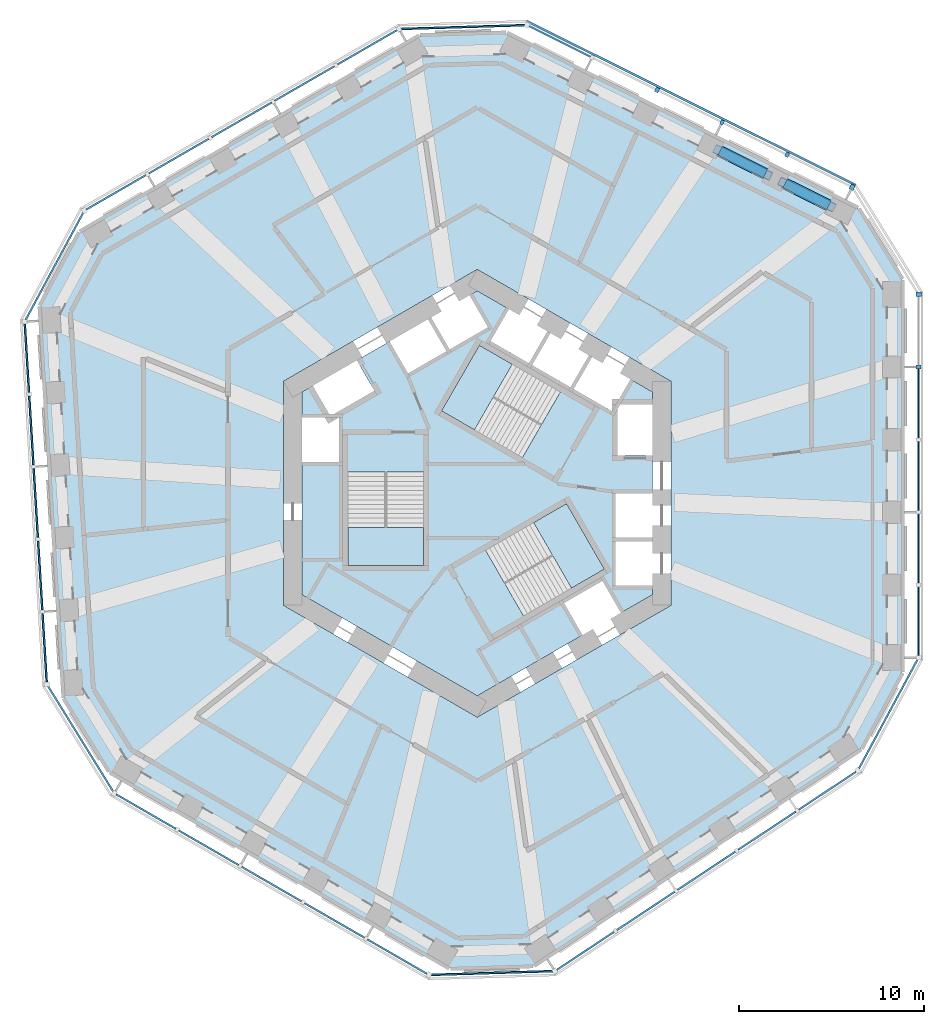
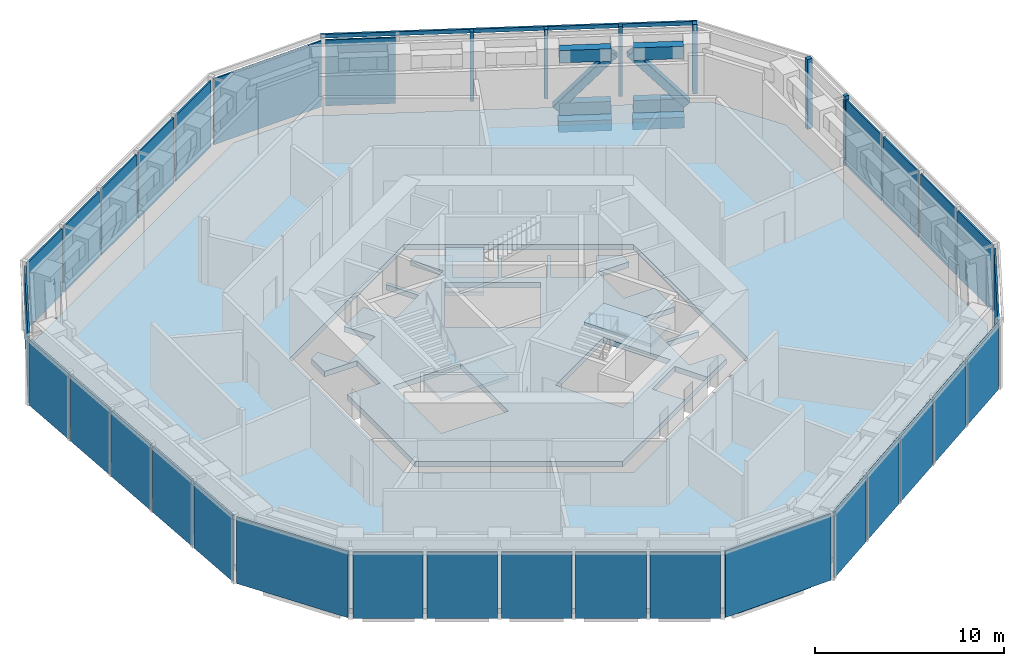
# One storey, part 4 of 15: 30 plates, 13 members, 5 slabs, 2 beams, 14 elements without a shape of their own.
"""IFC4 building model written with IfcOpenShell, lengths in metres."""

from ifc_helpers import new_model, si_unit, direction, frame, origin, origin_2d, place, context, subcontext, project, spatial, polyline, rectangle, hollow_rectangle, outline, extrude, material, layer, layer_set, material_profile, profile_set, type_object, element, aggregate, save


model = new_model("IFC4")

# Units and contexts
model_context = context("Model", 3, precision=1e-05, world=origin(), true_north=direction((0.0, 1.0)))
body_context = subcontext(model_context, "Body", "Model", "MODEL_VIEW")
ifc_project = project(units=[si_unit("LENGTHUNIT", "METRE"), si_unit("AREAUNIT", "SQUARE_METRE"), si_unit("VOLUMEUNIT", "CUBIC_METRE"), si_unit("PLANEANGLEUNIT", "RADIAN"), si_unit("MASSUNIT", "GRAM", prefix="KILO")], contexts=[model_context])

# Site, building, storey
site_placement = place(None, origin())
site = spatial("IfcSite", under=ifc_project, at=site_placement, CompositionType="ELEMENT")
building_placement = place(site_placement, origin())
building = spatial("IfcBuilding", under=site, at=building_placement, Name="Vanh Sen Convention Tower", CompositionType="ELEMENT")
storey_placement = place(building_placement, frame((0.0, 0.0, 119.89990234375)))
storey = spatial("IfcBuildingStorey", under=building, at=storey_placement, Name="L29", CompositionType="ELEMENT", Elevation=119.89990234375)

# Members
ifc_material_1 = material(Name="Steel S460", Category="steel")
ifc_material_profile_1 = material_profile(ifc_material_1, hollow_rectangle(XDim=0.5, YDim=0.800048828125, WallThickness=0.0400390625, at=origin_2d()), Name="BOX 800X500X40")
ifc_profile_set_1 = profile_set([ifc_material_profile_1], Name="Steel S460")
member_type_1 = type_object("IfcMemberType", Name="Belt truss chord BOX 800X500X40", PredefinedType="CHORD", material=ifc_profile_set_1)
for number, where, z_axis, x_axis, name in (
    (1, (19.036865234375, 15.59423828125, 0.400146484375), (-0.894943581597, 0.446179320183, 0.0), (-0.446179320183, -0.894943581597, 0.0), "BELT TRUSS chord bottom 07 L29"),
    (2, (19.036865234375, 15.59423828125, 3.800048828125), (-0.894943581597, 0.446179320183, 0.0), (-0.446179320183, -0.894943581597, 0.0), "BELT TRUSS chord top 07 L29"),
):
    element("IfcMember", number, at=place(storey_placement, frame(where, z_axis=z_axis, x_axis=x_axis)), inside=storey, type_object=member_type_1, Name=name, PredefinedType="CHORD", context=body_context, shape_type="SweptSolid", body=[
        extrude(hollow_rectangle(XDim=0.5, YDim=0.800048828125, WallThickness=0.0400390625, at=origin_2d()), origin(), (0.0, 0.0, 1.0), 2.64453125),
    ])
for number, where, z_axis, x_axis, name in (
    (3, (15.605224609375, 17.30517578125, 0.400146484375), (-0.894942515368, 0.44618145881, 0.0), (-0.44618145881, -0.894942515368, 0.0), "BELT TRUSS chord bottom 08 L29"),
    (4, (15.605224609375, 17.30517578125, 3.800048828125), (-0.894942515368, 0.44618145881, 0.0), (-0.44618145881, -0.894942515368, 0.0), "BELT TRUSS chord top 08 L29"),
):
    element("IfcMember", number, at=place(storey_placement, frame(where, z_axis=z_axis, x_axis=x_axis)), inside=storey, type_object=member_type_1, Name=name, PredefinedType="CHORD", context=body_context, shape_type="SweptSolid", body=[
        extrude(hollow_rectangle(XDim=0.5, YDim=0.800048828125, WallThickness=0.0400390625, at=origin_2d()), origin(), (0.0, 0.0, 1.0), 2.74462890625),
    ])
ifc_material_2 = material(Name="Steel S355", Category="steel")
ifc_material_profile_2 = material_profile(ifc_material_2, hollow_rectangle(XDim=0.5, YDim=0.5, WallThickness=0.02490234375, InnerFilletRadius=0.02490234375, OuterFilletRadius=0.050048828125, at=origin_2d()), Name="SHS 500X500X25")
ifc_profile_set_2 = profile_set([ifc_material_profile_2], Name="Steel S355")
member_type_2 = type_object("IfcMemberType", Name="Belt truss diagonal SHS 500X500X25", PredefinedType="BRACE", material=ifc_profile_set_2)
member_1_placement = place(storey_placement, frame((19.18310546875, 15.521240234375, 0.400146484375), z_axis=(-0.588916029965, 0.293646984827, 0.752960396005), x_axis=(-0.446227367534, -0.8949196257, 0.0)))
element("IfcMember", 5, at=member_1_placement, inside=storey, type_object=member_type_2, Name="BELT TRUSS diagonal 07 L29", PredefinedType="BRACE", context=body_context, shape_type="SweptSolid", body=[
    extrude(hollow_rectangle(XDim=0.5, YDim=0.5, WallThickness=0.02490234375, InnerFilletRadius=0.02490234375, OuterFilletRadius=0.050048828125, at=origin_2d()), origin(), (0.0, 0.0, 1.0), 4.515380859375),
])
member_2_placement = place(storey_placement, frame((15.75146484375, 17.232421875, 3.800048828125), z_axis=(-0.599932619702, 0.299087112034, -0.742042957809), x_axis=(-0.446164051111, -0.894951193918, 0.0)))
element("IfcMember", 6, at=member_2_placement, inside=storey, type_object=member_type_2, Name="BELT TRUSS diagonal 08 L29", PredefinedType="BRACE", context=body_context, shape_type="SweptSolid", body=[
    extrude(hollow_rectangle(XDim=0.5, YDim=0.5, WallThickness=0.02490234375, InnerFilletRadius=0.02490234375, OuterFilletRadius=0.050048828125, at=origin_2d()), origin(), (0.0, 0.0, 1.0), 4.581787109375),
])

# Curtain wall, member
ifc_material_3 = material(Name="Concrete C50/60", Category="concrete")
curtain_wall_type = type_object("IfcCurtainWallType", Name="Outer skin hotel zone", PredefinedType="NOTDEFINED", material=ifc_material_3)
curtain_wall_1_placement = place(storey_placement, origin())
curtain_wall_1 = element("IfcCurtainWall", 7, at=curtain_wall_1_placement, inside=storey, type_object=curtain_wall_type, Name="OUTER SKIN E L29", PredefinedType="NOTDEFINED")
ifc_material_profile_3 = material_profile(ifc_material_3, rectangle(XDim=0.25, YDim=0.300048828125, at=origin_2d()), Name="Outer skin precast corner fin 250 x 300")
ifc_profile_set_3 = profile_set([ifc_material_profile_3], Name="Concrete C50/60")
member_type_3 = type_object("IfcMemberType", Name="Outer skin precast corner fin 250 x 300", PredefinedType="MULLION", material=ifc_profile_set_3)
member_3_placement = place(storey_placement, frame((23.89990234375, 10.773681640625, 0.0), z_axis=(0.0, 0.0, 1.0), x_axis=(0.0, 1.0, 0.0)))
member_3 = element("IfcMember", 8, at=member_3_placement, type_object=member_type_3, Name="OUTER SKIN CORNER FIN 6 E L29", PredefinedType="MULLION", context=body_context, shape_type="SweptSolid", body=[
    extrude(rectangle(XDim=0.25, YDim=0.300048828125, at=origin_2d()), origin(), (0.0, 0.0, 1.0), 4.5),
])

curtain_wall_2_placement = place(storey_placement, origin())
curtain_wall_2 = element("IfcCurtainWall", 9, at=curtain_wall_2_placement, inside=storey, type_object=curtain_wall_type, Name="OUTER SKIN NE L29", PredefinedType="NOTDEFINED")
member_4_placement = place(storey_placement, frame((20.305908203125, 16.581787109375, 0.0), z_axis=(0.0, 0.0, 1.0), x_axis=(-0.894934361602, 0.44619781311, 0.0)))
member_4 = element("IfcMember", 10, at=member_4_placement, type_object=member_type_3, Name="OUTER SKIN CORNER FIN 1 NE L29", PredefinedType="MULLION", context=body_context, shape_type="SweptSolid", body=[
    extrude(rectangle(XDim=0.25, YDim=0.300048828125, at=origin_2d()), origin(), (0.0, 0.0, 1.0), 4.5),
])

# Member
ifc_material_profile_4 = material_profile(ifc_material_3, rectangle(XDim=0.199951171875, YDim=0.25, at=origin_2d()), Name="Outer skin precast fin 200 x 250")
ifc_profile_set_4 = profile_set([ifc_material_profile_4], Name="Concrete C50/60")
member_type_4 = type_object("IfcMemberType", Name="Outer skin precast fin 200 x 250", PredefinedType="MULLION", material=ifc_profile_set_4)
member_5_placement = place(storey_placement, frame((23.89990234375, 6.839111328125, 0.0), z_axis=(0.0, 0.0, 1.0), x_axis=(0.0, 1.0, 0.0)))
member_5 = element("IfcMember", 11, at=member_5_placement, type_object=member_type_4, Name="OUTER SKIN fin 5 E L29", PredefinedType="MULLION", context=body_context, shape_type="SweptSolid", body=[
    extrude(rectangle(XDim=0.199951171875, YDim=0.25, at=origin_2d()), origin(), (0.0, 0.0, 1.0), 4.5),
])

member_6_placement = place(storey_placement, frame((16.78466796875, 18.33740234375, 0.0), z_axis=(0.0, 0.0, 1.0), x_axis=(-0.894934361602, 0.44619781311, 0.0)))
member_6 = element("IfcMember", 12, at=member_6_placement, type_object=member_type_4, Name="OUTER SKIN fin 2 NE L29", PredefinedType="MULLION", context=body_context, shape_type="SweptSolid", body=[
    extrude(rectangle(XDim=0.199951171875, YDim=0.25, at=origin_2d()), origin(), (0.0, 0.0, 1.0), 4.5),
])

member_7_placement = place(storey_placement, frame((13.263427734375, 20.093017578125, 0.0), z_axis=(0.0, 0.0, 1.0), x_axis=(-0.894934361602, 0.44619781311, 0.0)))
member_7 = element("IfcMember", 13, at=member_7_placement, type_object=member_type_4, Name="OUTER SKIN fin 3 NE L29", PredefinedType="MULLION", context=body_context, shape_type="SweptSolid", body=[
    extrude(rectangle(XDim=0.199951171875, YDim=0.25, at=origin_2d()), origin(), (0.0, 0.0, 1.0), 4.5),
])

member_8_placement = place(storey_placement, frame((9.7421875, 21.8486328125, 0.0), z_axis=(0.0, 0.0, 1.0), x_axis=(-0.894934361602, 0.44619781311, 0.0)))
member_8 = element("IfcMember", 14, at=member_8_placement, type_object=member_type_4, Name="OUTER SKIN fin 4 NE L29", PredefinedType="MULLION", context=body_context, shape_type="SweptSolid", body=[
    extrude(rectangle(XDim=0.199951171875, YDim=0.25, at=origin_2d()), origin(), (0.0, 0.0, 1.0), 4.5),
])

ifc_material_profile_5 = material_profile(ifc_material_3, rectangle(XDim=0.1201171875, YDim=0.25, at=origin_2d()), Name="Outer skin precast spandrel band 250 x 120")
ifc_profile_set_5 = profile_set([ifc_material_profile_5], Name="Concrete C50/60")
member_type_5 = type_object("IfcMemberType", Name="Outer skin precast spandrel band 250 x 120", PredefinedType="USERDEFINED", material=ifc_profile_set_5)
member_9_placement = place(storey_placement, frame((20.500244140625, 16.69140625, 4.375), z_axis=(-0.894931498167, 0.446203556227, 0.0), x_axis=(-0.446203556227, -0.894931498167, 0.0)))
member_9 = element("IfcMember", 15, at=member_9_placement, type_object=member_type_5, Name="OUTER SKIN spandrel band NE L29", ObjectType="TRANSOM", PredefinedType="USERDEFINED", context=body_context, shape_type="SweptSolid", body=[
    extrude(rectangle(XDim=0.1201171875, YDim=0.25, at=origin_2d()), origin(), (0.0, 0.0, 1.0), 19.9228515625),
])

# Beams
ifc_material_4 = material(Name="Concrete C50/60", Category="concrete")
ifc_material_profile_6 = material_profile(ifc_material_4, rectangle(XDim=0.60009765625, YDim=0.699951171875, at=origin_2d()), Name="RC 600X700")
ifc_profile_set_6 = profile_set([ifc_material_profile_6], Name="Concrete C50/60")
beam_type = type_object("IfcBeamType", Name="Spandrel beam 600 x 700", PredefinedType="SPANDREL", material=ifc_profile_set_6)
beam_1_placement = place(storey_placement, frame((19.081787109375, 15.572021484375, -0.699951171875), z_axis=(-0.894978032936, 0.446110211229, 0.0), x_axis=(-0.446110211229, -0.894978032936, 0.0)))
element("IfcBeam", 16, at=beam_1_placement, inside=storey, type_object=beam_type, Name="Spandrel beam 07 L29", PredefinedType="SPANDREL", context=body_context, shape_type="SweptSolid", body=[
    extrude(rectangle(XDim=0.60009765625, YDim=0.699951171875, at=origin_2d()), origin(), (0.0, 0.0, 1.0), 2.74462890625),
])
beam_2_placement = place(storey_placement, frame((15.64990234375, 17.282958984375, -0.699951171875), z_axis=(-0.894958709308, 0.44614897583, 0.0), x_axis=(-0.44614897583, -0.894958709308, 0.0)))
element("IfcBeam", 17, at=beam_2_placement, inside=storey, type_object=beam_type, Name="Spandrel beam 08 L29", PredefinedType="SPANDREL", context=body_context, shape_type="SweptSolid", body=[
    extrude(rectangle(XDim=0.60009765625, YDim=0.699951171875, at=origin_2d()), origin(), (0.0, 0.0, 1.0), 2.844482421875),
])

# Slabs
ifc_material_5 = material(Name="Concrete C40/50", Category="concrete")
ifc_layer_1 = layer(ifc_material_5, 0.35009765625)
ifc_layer_set_1 = layer_set([ifc_layer_1], Name="Concrete C40/50")
slab_type_1 = type_object("IfcSlabType", Name="Core slab 350", PredefinedType="FLOOR", material=ifc_layer_set_1)
slab_1_placement = place(storey_placement, frame((0.0, 0.0, -0.349853515625)))
element("IfcSlab", 18, at=slab_1_placement, inside=storey, type_object=slab_type_1, Name="Core slab L29", PredefinedType="FLOOR", context=body_context, shape_type="SweptSolid", body=[
    extrude(outline(polyline([(9.5, 5.48486328125), (9.5, 4.800048828125), (7.60009765625, 4.800048828125), (7.60009765625, 2.050048828125), (9.5, 2.050048828125), (9.5, 0.0), (7.5, 0.0), (7.5, -2.39990234375), (9.5, -2.39990234375), (9.5, -2.60009765625), (7.5, -2.60009765625), (7.5, -5.0), (9.5, -5.0), (9.5, -5.48486328125), (0.0, -10.9697265625), (-9.5, -5.48486328125), (-9.5, 1.699951171875), (-7.5, 1.699951171875), (-7.5, 4.10009765625), (-9.5, 4.10009765625), (-9.5, 5.48486328125), (-8.906982421875, 5.8271484375), (-7.956787109375, 4.181884765625), (-5.575439453125, 5.556884765625), (-6.525390625, 7.2021484375), (-4.75, 8.227294921875), (-3.75, 6.4951171875), (-1.67138671875, 7.6953125), (-2.67138671875, 9.42724609375), (-2.498291015625, 9.527099609375), (-1.498291015625, 7.795166015625), (0.580078125, 8.9951171875), (-0.419921875, 10.727294921875), (0.0, 10.9697265625), (1.718994140625, 9.977294921875), (0.718994140625, 8.2451171875), (2.79736328125, 7.045166015625), (3.79736328125, 8.777099609375), (3.970703125, 8.67724609375), (2.970703125, 6.9453125), (5.049072265625, 5.7451171875), (6.049072265625, 7.477294921875), (6.22216796875, 7.377197265625), (5.22216796875, 5.645263671875), (7.30078125, 4.4453125), (8.30078125, 6.17724609375), (9.5, 5.48486328125)]), holes=[polyline([(-7.0, 3.14990234375), (-7.0, -3.909912109375), (-2.89990234375, -3.909912109375), (-2.89990234375, 3.14990234375), (-2.89990234375, 1.1494140625), (-7.0, 1.1494140625), (-7.0, 3.14990234375)]), polyline([(4.495361328125, 5.487548828125), (6.22802734375, 4.4873046875), (0.11376953125, 8.01708984375), (-1.936279296875, 4.466552734375), (2.4453125, 1.936767578125), (4.495361328125, 5.487548828125)]), polyline([(7.781005859375, -6.477294921875), (6.781005859375, -4.7451171875), (4.70263671875, -5.9453125), (5.70263671875, -7.67724609375), (7.781005859375, -6.477294921875)]), polyline([(0.45458984375, -3.086181640625), (2.504638671875, -6.63671875), (6.88623046875, -4.107177734375), (4.836181640625, -0.556396484375), (-1.278076171875, -4.08642578125), (0.45458984375, -3.086181640625)])]), origin(), (0.0, 0.0, 1.0), 0.349853515625),
])
ifc_layer_2 = layer(ifc_material_5, 0.35009765625)
ifc_layer_set_2 = layer_set([ifc_layer_2], Name="Concrete C40/50")
slab_type_2 = type_object("IfcSlabType", Name="Floor slab 350, compartment floor REI 180", PredefinedType="FLOOR", material=ifc_layer_set_2)
slab_2_placement = place(storey_placement, frame((0.0, 0.0, -0.349853515625)))
element("IfcSlab", 19, at=slab_2_placement, inside=storey, type_object=slab_type_2, Name="Floor slab L29 tower", PredefinedType="FLOOR", context=body_context, shape_type="SweptSolid", body=[
    extrude(outline(polyline([(23.0, -9.69921875), (23.0, 11.57373046875), (20.620361328125, 15.419189453125), (1.58251953125, 24.911376953125), (-3.10009765625, 24.768310546875), (-21.523193359375, 14.131591796875), (-23.663818359375, 10.14794921875), (-22.364990234375, -11.085205078125), (-19.89990234375, -15.069091796875), (-1.476806640625, -25.705322265625), (3.04345703125, -25.5673828125), (20.78271484375, -13.825927734375), (23.0, -9.69921875)]), holes=[polyline([(0.0, 12.12451171875), (-10.5, 6.062255859375), (-10.5, -6.062255859375), (0.0, -12.12451171875), (10.5, -6.062255859375), (10.5, 6.062255859375), (0.0, 12.12451171875)])]), origin(), (0.0, 0.0, 1.0), 0.349853515625),
])

# Plate
ifc_layer_3 = layer(ifc_material_3, 0.10009765625)
ifc_layer_set_3 = layer_set([ifc_layer_3], Name="Concrete C50/60")
plate_type = type_object("IfcPlateType", Name="Outer skin precast screen panel 100", PredefinedType="CURTAIN_PANEL", material=ifc_layer_set_3)
plate_1_placement = place(storey_placement, frame((23.89990234375, -6.91943359375, 0.0), z_axis=(0.0, 0.0, 1.0), x_axis=(0.0, 1.0, 0.0)))
plate_1 = element("IfcPlate", 20, at=plate_1_placement, type_object=plate_type, Name="OUTER SKIN screen panel E-1", PredefinedType="CURTAIN_PANEL", context=body_context, shape_type="SweptSolid", body=[
    extrude(rectangle(XDim=3.709716796875, YDim=0.10009765625, at=origin_2d()), origin(), (0.0, 0.0, 1.0), 4.25),
])

plate_2_placement = place(storey_placement, frame((23.89990234375, -2.997314453125, 0.0), z_axis=(0.0, 0.0, 1.0), x_axis=(0.0, 1.0, 0.0)))
plate_2 = element("IfcPlate", 21, at=plate_2_placement, type_object=plate_type, Name="OUTER SKIN screen panel E-2", PredefinedType="CURTAIN_PANEL", context=body_context, shape_type="SweptSolid", body=[
    extrude(rectangle(XDim=3.734619140625, YDim=0.10009765625, at=origin_2d()), origin(), (0.0, 0.0, 1.0), 4.25),
])

plate_3_placement = place(storey_placement, frame((23.89990234375, 0.937255859375, 0.0), z_axis=(0.0, 0.0, 1.0), x_axis=(0.0, 1.0, 0.0)))
plate_3 = element("IfcPlate", 22, at=plate_3_placement, type_object=plate_type, Name="OUTER SKIN screen panel E-3", PredefinedType="CURTAIN_PANEL", context=body_context, shape_type="SweptSolid", body=[
    extrude(rectangle(XDim=3.734619140625, YDim=0.10009765625, at=origin_2d()), origin(), (0.0, 0.0, 1.0), 4.25),
])

plate_4_placement = place(storey_placement, frame((23.89990234375, 4.871826171875, 0.0), z_axis=(0.0, 0.0, 1.0), x_axis=(0.0, 1.0, 0.0)))
plate_4 = element("IfcPlate", 23, at=plate_4_placement, type_object=plate_type, Name="OUTER SKIN screen panel E-4", PredefinedType="CURTAIN_PANEL", context=body_context, shape_type="SweptSolid", body=[
    extrude(rectangle(XDim=3.734619140625, YDim=0.10009765625, at=origin_2d()), origin(), (0.0, 0.0, 1.0), 4.25),
])

aggregate(curtain_wall_1, [member_5, member_3, plate_1, plate_2, plate_3, plate_4])

plate_5_placement = place(storey_placement, frame((4.4716796875, 24.476318359375, 0.0), z_axis=(0.0, 0.0, 1.0), x_axis=(-0.894935140363, 0.446196251154, 0.0)))
plate_5 = element("IfcPlate", 24, at=plate_5_placement, type_object=plate_type, Name="OUTER SKIN screen panel NE-5", PredefinedType="CURTAIN_PANEL", context=body_context, shape_type="SweptSolid", body=[
    extrude(rectangle(XDim=3.709716796875, YDim=0.10009765625, at=origin_2d()), origin(), (0.0, 0.0, 1.0), 4.25),
])

aggregate(curtain_wall_2, [member_4, member_6, member_7, member_8, member_9, plate_5])

# Curtain wall, plate
curtain_wall_3_placement = place(storey_placement, origin())
curtain_wall_3 = element("IfcCurtainWall", 25, at=curtain_wall_3_placement, inside=storey, type_object=curtain_wall_type, Name="OUTER SKIN CH2 L29", PredefinedType="NOTDEFINED")
plate_6_placement = place(storey_placement, frame((-0.771484375, 25.253662109375, 0.0), z_axis=(0.0, 0.0, 1.0), x_axis=(-0.999533644135, -0.030536768695, 0.0)))
plate_6 = element("IfcPlate", 26, at=plate_6_placement, type_object=plate_type, Name="OUTER SKIN screen panel CH2-1", PredefinedType="CURTAIN_PANEL", context=body_context, shape_type="SweptSolid", body=[
    extrude(rectangle(XDim=6.696044921875, YDim=0.10009765625, at=origin_2d()), origin(), (0.0, 0.0, 1.0), 4.25),
])
aggregate(curtain_wall_3, [plate_6])

# Curtain wall, plates
curtain_wall_4_placement = place(storey_placement, origin())
curtain_wall_4 = element("IfcCurtainWall", 27, at=curtain_wall_4_placement, inside=storey, type_object=curtain_wall_type, Name="OUTER SKIN NW L29", PredefinedType="NOTDEFINED")
plate_7_placement = place(storey_placement, frame((-5.95751953125, 24.15771484375, 0.0), z_axis=(0.0, 0.0, 1.0), x_axis=(-0.866028021766, -0.499995465495, 0.0)))
plate_7 = element("IfcPlate", 28, at=plate_7_placement, type_object=plate_type, Name="OUTER SKIN screen panel NW-1", PredefinedType="CURTAIN_PANEL", context=body_context, shape_type="SweptSolid", body=[
    extrude(rectangle(XDim=3.709716796875, YDim=0.10009765625, at=origin_2d()), origin(), (0.0, 0.0, 1.0), 4.25),
])
plate_8_placement = place(storey_placement, frame((-9.354248046875, 22.19677734375, 0.0), z_axis=(0.0, 0.0, 1.0), x_axis=(-0.866021040428, -0.500007557478, 0.0)))
plate_8 = element("IfcPlate", 29, at=plate_8_placement, type_object=plate_type, Name="OUTER SKIN screen panel NW-2", PredefinedType="CURTAIN_PANEL", context=body_context, shape_type="SweptSolid", body=[
    extrude(rectangle(XDim=3.734619140625, YDim=0.10009765625, at=origin_2d()), origin(), (0.0, 0.0, 1.0), 4.25),
])
plate_9_placement = place(storey_placement, frame((-12.76171875, 20.2294921875, 0.0), z_axis=(0.0, 0.0, 1.0), x_axis=(-0.866028021766, -0.499995465495, 0.0)))
plate_9 = element("IfcPlate", 30, at=plate_9_placement, type_object=plate_type, Name="OUTER SKIN screen panel NW-3", PredefinedType="CURTAIN_PANEL", context=body_context, shape_type="SweptSolid", body=[
    extrude(rectangle(XDim=3.734619140625, YDim=0.10009765625, at=origin_2d()), origin(), (0.0, 0.0, 1.0), 4.25),
])
plate_10_placement = place(storey_placement, frame((-16.169189453125, 18.26220703125, 0.0), z_axis=(0.0, 0.0, 1.0), x_axis=(-0.866028021766, -0.499995465495, 0.0)))
plate_10 = element("IfcPlate", 31, at=plate_10_placement, type_object=plate_type, Name="OUTER SKIN screen panel NW-4", PredefinedType="CURTAIN_PANEL", context=body_context, shape_type="SweptSolid", body=[
    extrude(rectangle(XDim=3.734619140625, YDim=0.10009765625, at=origin_2d()), origin(), (0.0, 0.0, 1.0), 4.25),
])
plate_11_placement = place(storey_placement, frame((-19.56591796875, 16.301025390625, 0.0), z_axis=(0.0, 0.0, 1.0), x_axis=(-0.866021040428, -0.500007557478, 0.0)))
plate_11 = element("IfcPlate", 32, at=plate_11_placement, type_object=plate_type, Name="OUTER SKIN screen panel NW-5", PredefinedType="CURTAIN_PANEL", context=body_context, shape_type="SweptSolid", body=[
    extrude(rectangle(XDim=3.70947265625, YDim=0.10009765625, at=origin_2d()), origin(), (0.0, 0.0, 1.0), 4.25),
])
aggregate(curtain_wall_4, [plate_7, plate_8, plate_9, plate_10, plate_11])

# Curtain wall, plate
curtain_wall_5_placement = place(storey_placement, origin())
curtain_wall_5 = element("IfcCurtainWall", 33, at=curtain_wall_5_placement, inside=storey, type_object=curtain_wall_type, Name="OUTER SKIN CH3 L29", PredefinedType="NOTDEFINED")
plate_12_placement = place(storey_placement, frame((-22.896728515625, 12.302978515625, 0.0), z_axis=(0.0, 0.0, 1.0), x_axis=(-0.47331812974, -0.880891564303, 0.0)))
plate_12 = element("IfcPlate", 34, at=plate_12_placement, type_object=plate_type, Name="OUTER SKIN screen panel CH3-1", PredefinedType="CURTAIN_PANEL", context=body_context, shape_type="SweptSolid", body=[
    extrude(rectangle(XDim=6.580078125, YDim=0.10009765625, at=origin_2d()), origin(), (0.0, 0.0, 1.0), 4.25),
])
aggregate(curtain_wall_5, [plate_12])

# Curtain wall, plates
curtain_wall_6_placement = place(storey_placement, origin())
curtain_wall_6 = element("IfcCurtainWall", 35, at=curtain_wall_6_placement, inside=storey, type_object=curtain_wall_type, Name="OUTER SKIN W L29", PredefinedType="NOTDEFINED")
plate_13_placement = place(storey_placement, frame((-24.39208984375, 7.318603515625, 0.0), z_axis=(0.0, 0.0, 1.0), x_axis=(0.061046797461, -0.99813490497, 0.0)))
plate_13 = element("IfcPlate", 36, at=plate_13_placement, type_object=plate_type, Name="OUTER SKIN screen panel W-1", PredefinedType="CURTAIN_PANEL", context=body_context, shape_type="SweptSolid", body=[
    extrude(rectangle(XDim=3.709716796875, YDim=0.10009765625, at=origin_2d()), origin(), (0.0, 0.0, 1.0), 4.25),
])
plate_14_placement = place(storey_placement, frame((-24.15283203125, 3.40380859375, 0.0), z_axis=(0.0, 0.0, 1.0), x_axis=(0.061048539535, -0.998134798422, 0.0)))
plate_14 = element("IfcPlate", 37, at=plate_14_placement, type_object=plate_type, Name="OUTER SKIN screen panel W-2", PredefinedType="CURTAIN_PANEL", context=body_context, shape_type="SweptSolid", body=[
    extrude(rectangle(XDim=3.734619140625, YDim=0.10009765625, at=origin_2d()), origin(), (0.0, 0.0, 1.0), 4.25),
])
plate_15_placement = place(storey_placement, frame((-23.91259765625, -0.523681640625, 0.0), z_axis=(0.0, 0.0, 1.0), x_axis=(0.061046797461, -0.99813490497, 0.0)))
plate_15 = element("IfcPlate", 38, at=plate_15_placement, type_object=plate_type, Name="OUTER SKIN screen panel W-3", PredefinedType="CURTAIN_PANEL", context=body_context, shape_type="SweptSolid", body=[
    extrude(rectangle(XDim=3.734619140625, YDim=0.10009765625, at=origin_2d()), origin(), (0.0, 0.0, 1.0), 4.25),
])
plate_16_placement = place(storey_placement, frame((-23.67236328125, -4.45068359375, 0.0), z_axis=(0.0, 0.0, 1.0), x_axis=(0.061048539535, -0.998134798422, 0.0)))
plate_16 = element("IfcPlate", 39, at=plate_16_placement, type_object=plate_type, Name="OUTER SKIN screen panel W-4", PredefinedType="CURTAIN_PANEL", context=body_context, shape_type="SweptSolid", body=[
    extrude(rectangle(XDim=3.734619140625, YDim=0.10009765625, at=origin_2d()), origin(), (0.0, 0.0, 1.0), 4.25),
])
plate_17_placement = place(storey_placement, frame((-23.43310546875, -8.365478515625, 0.0), z_axis=(0.0, 0.0, 1.0), x_axis=(0.061046797461, -0.99813490497, 0.0)))
plate_17 = element("IfcPlate", 40, at=plate_17_placement, type_object=plate_type, Name="OUTER SKIN screen panel W-5", PredefinedType="CURTAIN_PANEL", context=body_context, shape_type="SweptSolid", body=[
    extrude(rectangle(XDim=3.709716796875, YDim=0.10009765625, at=origin_2d()), origin(), (0.0, 0.0, 1.0), 4.25),
])
aggregate(curtain_wall_6, [plate_13, plate_14, plate_15, plate_16, plate_17])

# Curtain wall, plate
curtain_wall_7_placement = place(storey_placement, origin())
curtain_wall_7 = element("IfcCurtainWall", 41, at=curtain_wall_7_placement, inside=storey, type_object=curtain_wall_type, Name="OUTER SKIN CH4 L29", PredefinedType="NOTDEFINED")
plate_18_placement = place(storey_placement, frame((-21.484619140625, -13.295166015625, 0.0), z_axis=(0.0, 0.0, 1.0), x_axis=(0.526205018755, -0.850357735448, 0.0)))
plate_18 = element("IfcPlate", 42, at=plate_18_placement, type_object=plate_type, Name="OUTER SKIN screen panel CH4-1", PredefinedType="CURTAIN_PANEL", context=body_context, shape_type="SweptSolid", body=[
    extrude(rectangle(XDim=6.6962890625, YDim=0.10009765625, at=origin_2d()), origin(), (0.0, 0.0, 1.0), 4.25),
])
aggregate(curtain_wall_7, [plate_18])

# Curtain wall, plates
curtain_wall_8_placement = place(storey_placement, origin())
curtain_wall_8 = element("IfcCurtainWall", 43, at=curtain_wall_8_placement, inside=storey, type_object=curtain_wall_type, Name="OUTER SKIN SW L29", PredefinedType="NOTDEFINED")
plate_19_placement = place(storey_placement, frame((-17.9423828125, -17.23828125, 0.0), z_axis=(0.0, 0.0, 1.0), x_axis=(0.866028021766, -0.499995465495, 0.0)))
plate_19 = element("IfcPlate", 44, at=plate_19_placement, type_object=plate_type, Name="OUTER SKIN screen panel SW-1", PredefinedType="CURTAIN_PANEL", context=body_context, shape_type="SweptSolid", body=[
    extrude(rectangle(XDim=3.709716796875, YDim=0.10009765625, at=origin_2d()), origin(), (0.0, 0.0, 1.0), 4.25),
])
plate_20_placement = place(storey_placement, frame((-14.5458984375, -19.19921875, 0.0), z_axis=(0.0, 0.0, 1.0), x_axis=(0.866032385017, -0.499987907955, 0.0)))
plate_20 = element("IfcPlate", 45, at=plate_20_placement, type_object=plate_type, Name="OUTER SKIN screen panel SW-2", PredefinedType="CURTAIN_PANEL", context=body_context, shape_type="SweptSolid", body=[
    extrude(rectangle(XDim=3.734619140625, YDim=0.10009765625, at=origin_2d()), origin(), (0.0, 0.0, 1.0), 4.25),
])
plate_21_placement = place(storey_placement, frame((-11.138427734375, -21.16650390625, 0.0), z_axis=(0.0, 0.0, 1.0), x_axis=(0.866028021766, -0.499995465495, 0.0)))
plate_21 = element("IfcPlate", 46, at=plate_21_placement, type_object=plate_type, Name="OUTER SKIN screen panel SW-3", PredefinedType="CURTAIN_PANEL", context=body_context, shape_type="SweptSolid", body=[
    extrude(rectangle(XDim=3.734619140625, YDim=0.10009765625, at=origin_2d()), origin(), (0.0, 0.0, 1.0), 4.25),
])
plate_22_placement = place(storey_placement, frame((-7.73095703125, -23.1337890625, 0.0), z_axis=(0.0, 0.0, 1.0), x_axis=(0.866028021766, -0.499995465495, 0.0)))
plate_22 = element("IfcPlate", 47, at=plate_22_placement, type_object=plate_type, Name="OUTER SKIN screen panel SW-4", PredefinedType="CURTAIN_PANEL", context=body_context, shape_type="SweptSolid", body=[
    extrude(rectangle(XDim=3.734619140625, YDim=0.10009765625, at=origin_2d()), origin(), (0.0, 0.0, 1.0), 4.25),
])
plate_23_placement = place(storey_placement, frame((-4.334228515625, -25.094970703125, 0.0), z_axis=(0.0, 0.0, 1.0), x_axis=(0.866021040428, -0.500007557478, 0.0)))
plate_23 = element("IfcPlate", 48, at=plate_23_placement, type_object=plate_type, Name="OUTER SKIN screen panel SW-5", PredefinedType="CURTAIN_PANEL", context=body_context, shape_type="SweptSolid", body=[
    extrude(rectangle(XDim=3.70947265625, YDim=0.10009765625, at=origin_2d()), origin(), (0.0, 0.0, 1.0), 4.25),
])
aggregate(curtain_wall_8, [plate_19, plate_20, plate_21, plate_22, plate_23])

# Curtain wall, plate
curtain_wall_9_placement = place(storey_placement, origin())
curtain_wall_9 = element("IfcCurtainWall", 49, at=curtain_wall_9_placement, inside=storey, type_object=curtain_wall_type, Name="OUTER SKIN CH5 L29", PredefinedType="NOTDEFINED")
plate_24_placement = place(storey_placement, frame((0.793701171875, -25.98046875, 0.0), z_axis=(0.0, 0.0, 1.0), x_axis=(0.999533484231, 0.03054200224, 0.0)))
plate_24 = element("IfcPlate", 50, at=plate_24_placement, type_object=plate_type, Name="OUTER SKIN screen panel CH5-1", PredefinedType="CURTAIN_PANEL", context=body_context, shape_type="SweptSolid", body=[
    extrude(rectangle(XDim=6.580078125, YDim=0.10009765625, at=origin_2d()), origin(), (0.0, 0.0, 1.0), 4.25),
])
aggregate(curtain_wall_9, [plate_24])

# Curtain wall, plates
curtain_wall_10_placement = place(storey_placement, origin())
curtain_wall_10 = element("IfcCurtainWall", 51, at=curtain_wall_10_placement, inside=storey, type_object=curtain_wall_type, Name="OUTER SKIN SE L29", PredefinedType="NOTDEFINED")
plate_25_placement = place(storey_placement, frame((5.858154296875, -24.783447265625, 0.0), z_axis=(0.0, 0.0, 1.0), x_axis=(0.833891601892, 0.55192825285, 0.0)))
plate_25 = element("IfcPlate", 52, at=plate_25_placement, type_object=plate_type, Name="OUTER SKIN screen panel SE-1", PredefinedType="CURTAIN_PANEL", context=body_context, shape_type="SweptSolid", body=[
    extrude(rectangle(XDim=3.709716796875, YDim=0.10009765625, at=origin_2d()), origin(), (0.0, 0.0, 1.0), 4.25),
])
plate_26_placement = place(storey_placement, frame((9.128662109375, -22.618896484375, 0.0), z_axis=(0.0, 0.0, 1.0), x_axis=(0.833891601892, 0.55192825285, 0.0)))
plate_26 = element("IfcPlate", 53, at=plate_26_placement, type_object=plate_type, Name="OUTER SKIN screen panel SE-2", PredefinedType="CURTAIN_PANEL", context=body_context, shape_type="SweptSolid", body=[
    extrude(rectangle(XDim=3.734619140625, YDim=0.10009765625, at=origin_2d()), origin(), (0.0, 0.0, 1.0), 4.25),
])
plate_27_placement = place(storey_placement, frame((12.40966796875, -20.447265625, 0.0), z_axis=(0.0, 0.0, 1.0), x_axis=(0.833880042151, 0.551945717714, 0.0)))
plate_27 = element("IfcPlate", 54, at=plate_27_placement, type_object=plate_type, Name="OUTER SKIN screen panel SE-3", PredefinedType="CURTAIN_PANEL", context=body_context, shape_type="SweptSolid", body=[
    extrude(rectangle(XDim=3.734619140625, YDim=0.10009765625, at=origin_2d()), origin(), (0.0, 0.0, 1.0), 4.25),
])
plate_28_placement = place(storey_placement, frame((15.690673828125, -18.275390625, 0.0), z_axis=(0.0, 0.0, 1.0), x_axis=(0.833891601892, 0.55192825285, 0.0)))
plate_28 = element("IfcPlate", 55, at=plate_28_placement, type_object=plate_type, Name="OUTER SKIN screen panel SE-4", PredefinedType="CURTAIN_PANEL", context=body_context, shape_type="SweptSolid", body=[
    extrude(rectangle(XDim=3.734619140625, YDim=0.10009765625, at=origin_2d()), origin(), (0.0, 0.0, 1.0), 4.25),
])
plate_29_placement = place(storey_placement, frame((18.961181640625, -16.11083984375, 0.0), z_axis=(0.0, 0.0, 1.0), x_axis=(0.833880042151, 0.551945717714, 0.0)))
plate_29 = element("IfcPlate", 56, at=plate_29_placement, type_object=plate_type, Name="OUTER SKIN screen panel SE-5", PredefinedType="CURTAIN_PANEL", context=body_context, shape_type="SweptSolid", body=[
    extrude(rectangle(XDim=3.709716796875, YDim=0.10009765625, at=origin_2d()), origin(), (0.0, 0.0, 1.0), 4.25),
])
aggregate(curtain_wall_10, [plate_25, plate_26, plate_27, plate_28, plate_29])

# Curtain wall, plate
curtain_wall_11_placement = place(storey_placement, origin())
curtain_wall_11 = element("IfcCurtainWall", 57, at=curtain_wall_11_placement, inside=storey, type_object=curtain_wall_type, Name="OUTER SKIN CH6 L29", PredefinedType="NOTDEFINED")
plate_30_placement = place(storey_placement, frame((22.256103515625, -11.95849609375, 0.0), z_axis=(0.0, 0.0, 1.0), x_axis=(0.473322742071, 0.880889086003, 0.0)))
plate_30 = element("IfcPlate", 58, at=plate_30_placement, type_object=plate_type, Name="OUTER SKIN screen panel CH6-1", PredefinedType="CURTAIN_PANEL", context=body_context, shape_type="SweptSolid", body=[
    extrude(rectangle(XDim=6.6962890625, YDim=0.10009765625, at=origin_2d()), origin(), (0.0, 0.0, 1.0), 4.25),
])
aggregate(curtain_wall_11, [plate_30])

# Stair, slab
ifc_material_6 = material(Name="Concrete C50/60", Category="concrete")
stair_type_1 = type_object("IfcStairType", Name="Exit stair ST1 26 risers at 173.1", PredefinedType="HALF_TURN_STAIR", material=ifc_material_6)
stair_1_placement = place(storey_placement, origin())
stair_1 = element("IfcStair", 59, at=stair_1_placement, inside=storey, type_object=stair_type_1, Name="Exit stair ST1 L29", PredefinedType="HALF_TURN_STAIR")
ifc_layer_4 = layer(ifc_material_5, 0.199951171875)
ifc_layer_set_4 = layer_set([ifc_layer_4], Name="Concrete C40/50")
slab_type_3 = type_object("IfcSlabType", Name="Stair landing 200", PredefinedType="LANDING", material=ifc_layer_set_4)
slab_3_placement = place(storey_placement, frame((0.0, 0.0, 2.050048828125)))
slab_3 = element("IfcSlab", 60, at=slab_3_placement, type_object=slab_type_3, Name="ST1 landing 1", PredefinedType="LANDING", context=body_context, shape_type="SweptSolid", body=[
    extrude(outline(polyline([(1.8984375, 6.98681640625), (0.11376953125, 8.01708984375), (-1.936279296875, 4.466552734375), (-0.151611328125, 3.43603515625), (1.8984375, 6.98681640625)])), origin(), (0.0, 0.0, 1.0), 0.199951171875),
])
aggregate(stair_1, [slab_3])

stair_type_2 = type_object("IfcStairType", Name="Exit stair ST2 26 risers at 173.1", PredefinedType="HALF_TURN_STAIR", material=ifc_material_6)
stair_2_placement = place(storey_placement, origin())
stair_2 = element("IfcStair", 61, at=stair_2_placement, inside=storey, type_object=stair_type_2, Name="Exit stair ST2 L29", PredefinedType="HALF_TURN_STAIR")
slab_4_placement = place(storey_placement, frame((0.0, 0.0, 2.050048828125)))
slab_4 = element("IfcSlab", 62, at=slab_4_placement, type_object=slab_type_3, Name="ST2 landing 1", PredefinedType="LANDING", context=body_context, shape_type="SweptSolid", body=[
    extrude(outline(polyline([(-7.0, -1.849365234375), (-7.0, -3.909912109375), (-2.89990234375, -3.909912109375), (-2.89990234375, -1.849365234375), (-7.0, -1.849365234375)])), origin(), (0.0, 0.0, 1.0), 0.199951171875),
])
aggregate(stair_2, [slab_4])

stair_type_3 = type_object("IfcStairType", Name="Exit stair ST3 26 risers at 173.1", PredefinedType="HALF_TURN_STAIR", material=ifc_material_6)
stair_3_placement = place(storey_placement, origin())
stair_3 = element("IfcStair", 63, at=stair_3_placement, inside=storey, type_object=stair_type_3, Name="Exit stair ST3 L29", PredefinedType="HALF_TURN_STAIR")
slab_5_placement = place(storey_placement, frame((0.0, 0.0, 2.050048828125)))
slab_5 = element("IfcSlab", 64, at=slab_5_placement, type_object=slab_type_3, Name="ST3 landing 1", PredefinedType="LANDING", context=body_context, shape_type="SweptSolid", body=[
    extrude(outline(polyline([(5.1015625, -5.137451171875), (6.88623046875, -4.107177734375), (4.836181640625, -0.556396484375), (3.051513671875, -1.5869140625), (5.1015625, -5.137451171875)])), origin(), (0.0, 0.0, 1.0), 0.199951171875),
])
aggregate(stair_3, [slab_5])

save(model, "model.ifc")
